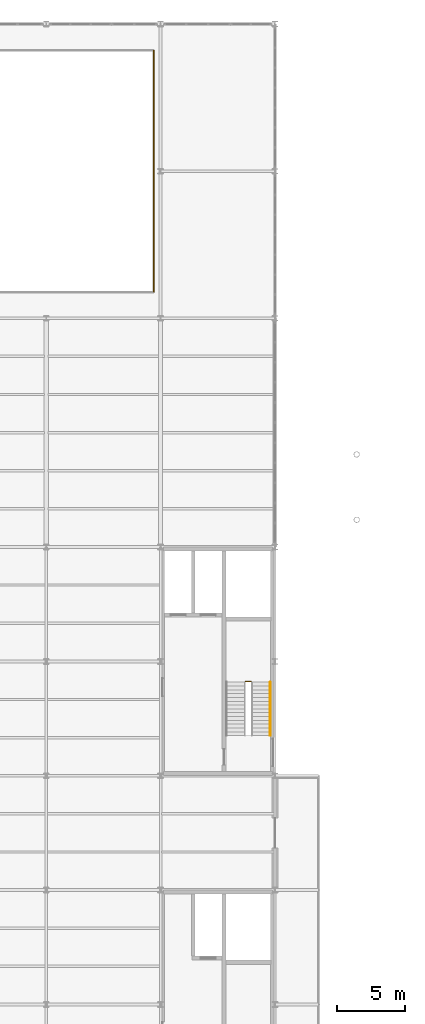
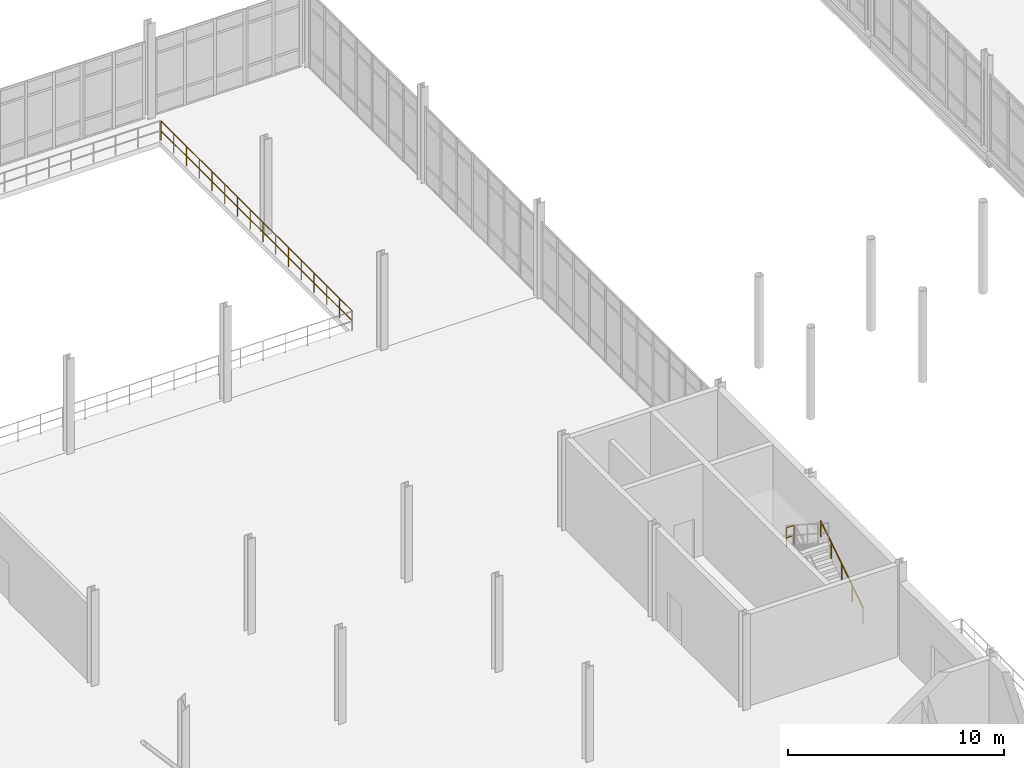
# One storey, part 110 of 111: 3 railings.
"""IFC4 building model written with IfcOpenShell, lengths in metres."""

from ifc_helpers import new_model, si_unit, direction, frame, origin, origin_2d, place, context, subcontext, project, spatial, circle, extrude, material, type_object, element, save


model = new_model("IFC4")

# Units and contexts
model_context = context("Model", 3, precision=1e-05, world=origin(), true_north=direction((0.0, 1.0)))
body_context = subcontext(model_context, "Body", "Model", "MODEL_VIEW")
ifc_project = project(units=[si_unit("LENGTHUNIT", "METRE"), si_unit("AREAUNIT", "SQUARE_METRE"), si_unit("VOLUMEUNIT", "CUBIC_METRE"), si_unit("PLANEANGLEUNIT", "RADIAN"), si_unit("MASSUNIT", "GRAM", prefix="KILO"), si_unit("THERMODYNAMICTEMPERATUREUNIT", "KELVIN"), si_unit("POWERUNIT", "WATT")], contexts=[model_context])

# Site, building, storey
site_placement = place(None, origin())
site = spatial("IfcSite", under=ifc_project, at=site_placement, CompositionType="ELEMENT")
building_placement = place(site_placement, origin())
building = spatial("IfcBuilding", under=site, at=building_placement, Name="Tembeka Court Mobility Hub", CompositionType="ELEMENT")
storey_placement = place(building_placement, origin())
storey = spatial("IfcBuildingStorey", under=building, at=storey_placement, Name="L00", CompositionType="ELEMENT", Elevation=0.0)

# Railings
ifc_material_1 = material(Name="Painted galvanised steel balustrade", Category="steel")
railing_type_1 = type_object("IfcRailingType", Name="RL-GR01", PredefinedType="GUARDRAIL", material=ifc_material_1)
railing_1_placement = place(storey_placement, frame((90.64990234375, 70.52001953125, 2.699951171875)))
element("IfcRailing", 1, at=railing_1_placement, inside=storey, type_object=railing_type_1, Name="L00 ST02 stair guard 2-1", PredefinedType="GUARDRAIL", context=body_context, shape_type="SweptSolid", body=[
    extrude(circle(Radius=0.02392578125, at=origin_2d()), frame((0.0, 0.0, 1.09619140625), z_axis=(-1.0, 0.0, 0.0), x_axis=(0.0, -1.0, 0.0)), (0.0, 0.0, 1.0), 0.39990234375),
    extrude(circle(Radius=0.02392578125, at=origin_2d()), frame((0.0, 0.0, 0.5361328125), z_axis=(-1.0, 0.0, 0.0), x_axis=(0.0, -1.0, 0.0)), (0.0, 0.0, 1.0), 0.39990234375),
    extrude(circle(Radius=0.02099609375, at=origin_2d()), origin(), (0.0, 0.0, 1.0), 1.072021484375),
    extrude(circle(Radius=0.02099609375, at=origin_2d()), frame((-0.39990234375, 0.0, 0.0)), (0.0, 0.0, 1.0), 1.072021484375),
])
railing_type_2 = type_object("IfcRailingType", Name="RL-GR02", PredefinedType="GUARDRAIL", material=ifc_material_1)
railing_2_placement = place(storey_placement, frame((83.5, 99.1298828125, 0.0)))
element("IfcRailing", 2, at=railing_2_placement, inside=storey, type_object=railing_type_2, Name="Perimeter guard GR02-0014", PredefinedType="GUARDRAIL", context=body_context, shape_type="SweptSolid", body=[
    extrude(circle(Radius=0.02392578125, at=origin_2d()), frame((0.0, 0.0, 1.09619140625), z_axis=(0.0, 1.0, 0.0), x_axis=(-1.0, 0.0, 0.0)), (0.0, 0.0, 1.0), 17.740234375),
    extrude(circle(Radius=0.02392578125, at=origin_2d()), frame((0.0, 0.0, 0.5361328125), z_axis=(0.0, 1.0, 0.0), x_axis=(-1.0, 0.0, 0.0)), (0.0, 0.0, 1.0), 17.740234375),
    extrude(circle(Radius=0.02099609375, at=origin_2d()), origin(), (0.0, 0.0, 1.0), 1.072021484375),
    extrude(circle(Radius=0.02099609375, at=origin_2d()), frame((0.0, 1.1826171875, 0.0)), (0.0, 0.0, 1.0), 1.072021484375),
    extrude(circle(Radius=0.02099609375, at=origin_2d()), frame((0.0, 2.365478515625, 0.0)), (0.0, 0.0, 1.0), 1.072021484375),
    extrude(circle(Radius=0.02099609375, at=origin_2d()), frame((0.0, 3.548095703125, 0.0)), (0.0, 0.0, 1.0), 1.072021484375),
    extrude(circle(Radius=0.02099609375, at=origin_2d()), frame((0.0, 4.730712890625, 0.0)), (0.0, 0.0, 1.0), 1.072021484375),
    extrude(circle(Radius=0.02099609375, at=origin_2d()), frame((0.0, 5.913330078125, 0.0)), (0.0, 0.0, 1.0), 1.072021484375),
    extrude(circle(Radius=0.02099609375, at=origin_2d()), frame((0.0, 7.09619140625, 0.0)), (0.0, 0.0, 1.0), 1.072021484375),
    extrude(circle(Radius=0.02099609375, at=origin_2d()), frame((0.0, 8.27880859375, 0.0)), (0.0, 0.0, 1.0), 1.072021484375),
    extrude(circle(Radius=0.02099609375, at=origin_2d()), frame((0.0, 9.46142578125, 0.0)), (0.0, 0.0, 1.0), 1.072021484375),
    extrude(circle(Radius=0.02099609375, at=origin_2d()), frame((0.0, 10.64404296875, 0.0)), (0.0, 0.0, 1.0), 1.072021484375),
    extrude(circle(Radius=0.02099609375, at=origin_2d()), frame((0.0, 11.826904296875, 0.0)), (0.0, 0.0, 1.0), 1.072021484375),
    extrude(circle(Radius=0.02099609375, at=origin_2d()), frame((0.0, 13.009521484375, 0.0)), (0.0, 0.0, 1.0), 1.072021484375),
    extrude(circle(Radius=0.02099609375, at=origin_2d()), frame((0.0, 14.192138671875, 0.0)), (0.0, 0.0, 1.0), 1.072021484375),
    extrude(circle(Radius=0.02099609375, at=origin_2d()), frame((0.0, 15.374755859375, 0.0)), (0.0, 0.0, 1.0), 1.072021484375),
    extrude(circle(Radius=0.02099609375, at=origin_2d()), frame((0.0, 16.5576171875, 0.0)), (0.0, 0.0, 1.0), 1.072021484375),
    extrude(circle(Radius=0.02099609375, at=origin_2d()), frame((0.0, 17.740234375, 0.0)), (0.0, 0.0, 1.0), 1.072021484375),
])
ifc_material_2 = material(Name="Brushed stainless steel handrail", Category="steel")
railing_type_3 = type_object("IfcRailingType", Name="RL-HR01", PredefinedType="HANDRAIL", material=ifc_material_2)
railing_3_placement = place(storey_placement, frame((92.050048828125, 66.550048828125, 0.179931640625)))
element("IfcRailing", 3, at=railing_3_placement, inside=storey, type_object=railing_type_3, Name="L00 ST02 handrail 1-1", PredefinedType="HANDRAIL", context=body_context, shape_type="SweptSolid", body=[
    extrude(circle(Radius=0.02392578125, at=origin_2d()), frame((0.0, 0.0, 0.89599609375), z_axis=(0.0, 0.841171666519, 0.540768182723), x_axis=(-1.0, 0.0, 0.0)), (0.0, 0.0, 1.0), 4.66015625),
    extrude(circle(Radius=0.02099609375, at=origin_2d()), origin(), (0.0, 0.0, 1.0), 0.871826171875),
    extrude(circle(Radius=0.02099609375, at=origin_2d()), frame((0.0, 0.97998046875, 0.6298828125)), (0.0, 0.0, 1.0), 0.871826171875),
    extrude(circle(Radius=0.02099609375, at=origin_2d()), frame((0.0, 1.9599609375, 1.260009765625)), (0.0, 0.0, 1.0), 0.871826171875),
    extrude(circle(Radius=0.02099609375, at=origin_2d()), frame((0.0, 2.93994140625, 1.89013671875)), (0.0, 0.0, 1.0), 0.871826171875),
    extrude(circle(Radius=0.02099609375, at=origin_2d()), frame((0.0, 3.919921875, 2.52001953125)), (0.0, 0.0, 1.0), 0.871826171875),
])

save(model, "model.ifc")
